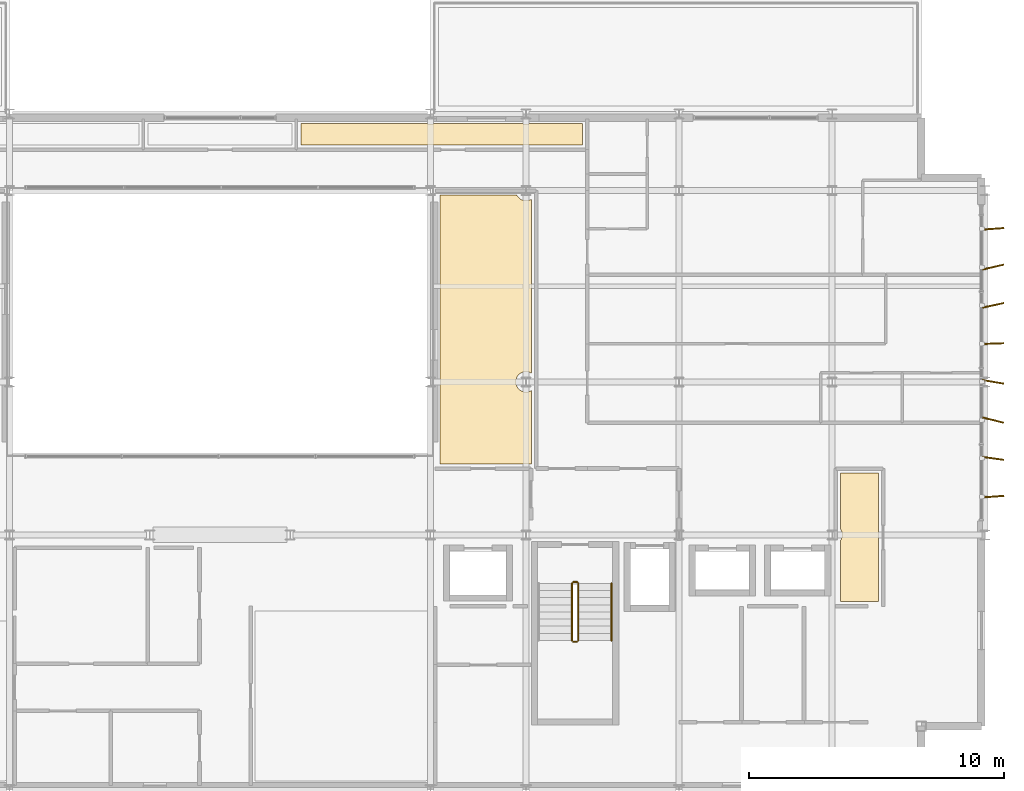
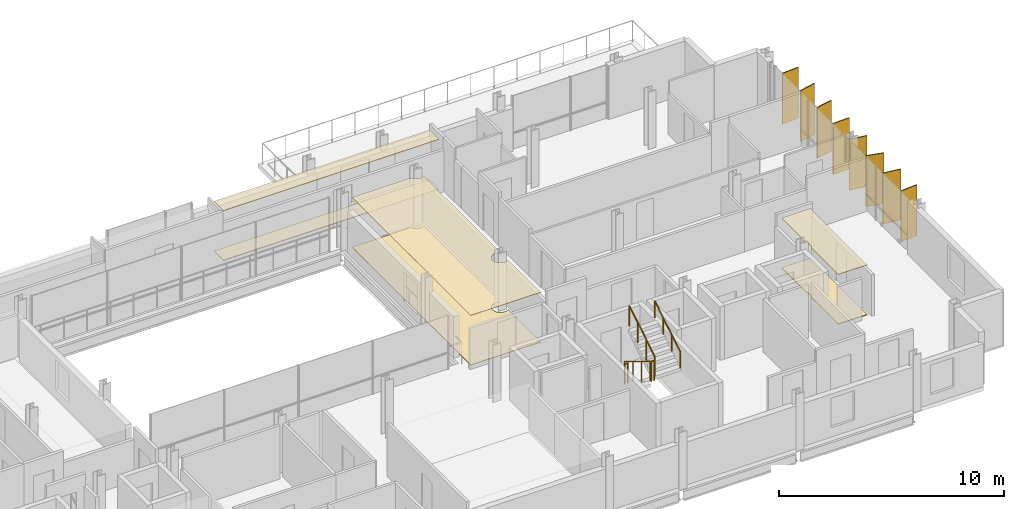
# One storey, part 37 of 38: 8 shading devices, 6 coverings, 5 railings.
"""IFC4 building model written with IfcOpenShell, lengths in metres."""

from ifc_helpers import new_model, si_unit, direction, frame, origin, origin_2d, place, context, subcontext, project, spatial, polyline, rectangle, circle, outline, extrude, material, layer, layer_set, type_object, element, save


model = new_model("IFC4")

# Units and contexts
model_context = context("Model", 3, precision=1e-05, world=origin(), true_north=direction((0.0, 1.0)))
body_context = subcontext(model_context, "Body", "Model", "MODEL_VIEW")
ifc_project = project(units=[si_unit("LENGTHUNIT", "METRE"), si_unit("AREAUNIT", "SQUARE_METRE"), si_unit("VOLUMEUNIT", "CUBIC_METRE"), si_unit("PLANEANGLEUNIT", "RADIAN"), si_unit("MASSUNIT", "GRAM", prefix="KILO")], contexts=[model_context])

# Site, building, storey
site_placement = place(None, origin())
site = spatial("IfcSite", under=ifc_project, at=site_placement, CompositionType="ELEMENT")
building_placement = place(site_placement, origin())
building = spatial("IfcBuilding", under=site, at=building_placement, Name="Brevholm Reach", CompositionType="ELEMENT")
storey_placement = place(building_placement, frame((0.0, 0.0, 172.800048828125)))
storey = spatial("IfcBuildingStorey", under=building, at=storey_placement, Name="L52", CompositionType="ELEMENT", Elevation=172.800048828125)

# Coverings
ifc_material_1 = material(Name="Moisture-Resistant Skimmed Gypsum Plasterboard Ceiling", Category="gypsum")
ifc_layer_1 = layer(ifc_material_1, 0.030029296875)
ifc_layer_set_1 = layer_set([ifc_layer_1], Name="Moisture-Resistant Skimmed Gypsum Plasterboard Ceiling")
covering_type_1 = type_object("IfcCoveringType", Name="COV-CLG-GYP", PredefinedType="CEILING", material=ifc_layer_set_1)
covering_1_placement = place(storey_placement, frame((0.0, 0.0, 2.68994140625)))
element("IfcCovering", 1, at=covering_1_placement, inside=storey, type_object=covering_type_1, Name="L52 Suspended Ceiling L52-27", PredefinedType="CEILING", context=body_context, shape_type="SweptSolid", body=[
    extrude(outline(polyline([(54.330078125, 9.7626953125), (54.33056640625, 9.764892578125), (54.33251953125, 9.777587890625), (54.33251953125, 9.77783203125), (54.352783203125, 9.811279296875), (54.36962890625, 9.846923828125), (54.3828125, 9.8837890625), (54.392333984375, 9.922119140625), (54.398193359375, 9.960693359375), (54.39990234375, 10.0), (54.398193359375, 10.039306640625), (54.392333984375, 10.077880859375), (54.3828125, 10.1162109375), (54.36962890625, 10.153076171875), (54.352783203125, 10.188720703125), (54.333984375, 10.219970703125), (54.333984375, 12.419921875), (55.81591796875, 12.419921875), (55.81591796875, 7.3798828125), (55.437255859375, 7.3798828125), (55.43505859375, 7.380615234375), (55.41748046875, 7.383056640625), (55.39990234375, 7.384033203125), (54.330078125, 7.384033203125), (54.330078125, 9.7626953125)])), origin(), (0.0, 0.0, 1.0), 0.030029296875),
])
covering_2_placement = place(storey_placement, frame((0.0, 0.0, 2.68994140625)))
element("IfcCovering", 2, at=covering_2_placement, inside=storey, type_object=covering_type_1, Name="L52 Suspended Ceiling L52-55", PredefinedType="CEILING", context=body_context, shape_type="SweptSolid", body=[
    extrude(outline(polyline([(38.6298828125, 15.876220703125), (38.6328125, 15.8837890625), (38.642333984375, 15.922119140625), (38.648193359375, 15.960693359375), (38.64990234375, 16.0), (38.648193359375, 16.039306640625), (38.642333984375, 16.077880859375), (38.6328125, 16.1162109375), (38.6298828125, 16.123779296875), (38.6298828125, 23.320068359375), (41.643310546875, 23.320068359375), (41.647216796875, 23.311279296875), (41.66748046875, 23.27783203125), (41.69091796875, 23.24609375), (41.71728515625, 23.21728515625), (41.74609375, 23.19091796875), (41.77783203125, 23.16748046875), (41.811279296875, 23.147216796875), (41.846923828125, 23.13037109375), (41.8837890625, 23.1171875), (41.922119140625, 23.107666015625), (41.960693359375, 23.101806640625), (42.0, 23.10009765625), (42.039306640625, 23.101806640625), (42.077880859375, 23.107666015625), (42.1162109375, 23.1171875), (42.153076171875, 23.13037109375), (42.188720703125, 23.147216796875), (42.216064453125, 23.163818359375), (42.216064453125, 16.336181640625), (42.188720703125, 16.352783203125), (42.153076171875, 16.36962890625), (42.1162109375, 16.3828125), (42.077880859375, 16.392333984375), (42.039306640625, 16.398193359375), (42.0, 16.39990234375), (41.960693359375, 16.398193359375), (41.922119140625, 16.392333984375), (41.8837890625, 16.3828125), (41.846923828125, 16.36962890625), (41.811279296875, 16.352783203125), (41.77783203125, 16.33251953125), (41.74609375, 16.30908203125), (41.71728515625, 16.28271484375), (41.69091796875, 16.25390625), (41.66748046875, 16.22216796875), (41.647216796875, 16.188720703125), (41.63037109375, 16.153076171875), (41.6171875, 16.1162109375), (41.607666015625, 16.077880859375), (41.601806640625, 16.039306640625), (41.60009765625, 16.0), (41.601806640625, 15.960693359375), (41.607666015625, 15.922119140625), (41.6171875, 15.8837890625), (41.63037109375, 15.846923828125), (41.647216796875, 15.811279296875), (41.66748046875, 15.77783203125), (41.69091796875, 15.74609375), (41.71728515625, 15.71728515625), (41.74609375, 15.69091796875), (41.77783203125, 15.66748046875), (41.811279296875, 15.647216796875), (41.846923828125, 15.63037109375), (41.8837890625, 15.6171875), (41.922119140625, 15.607666015625), (41.960693359375, 15.601806640625), (42.0, 15.60009765625), (42.039306640625, 15.601806640625), (42.077880859375, 15.607666015625), (42.1162109375, 15.6171875), (42.153076171875, 15.63037109375), (42.188720703125, 15.647216796875), (42.216064453125, 15.663818359375), (42.216064453125, 12.783935546875), (38.6298828125, 12.783935546875), (38.6298828125, 15.876220703125)])), origin(), (0.0, 0.0, 1.0), 0.030029296875),
])
covering_3_placement = place(storey_placement, frame((0.0, 0.0, 2.68994140625)))
element("IfcCovering", 3, at=covering_3_placement, inside=storey, type_object=covering_type_1, Name="L52 Suspended Ceiling L52-59", PredefinedType="CEILING", context=body_context, shape_type="SweptSolid", body=[
    extrude(outline(polyline([(38.126220703125, 26.1201171875), (38.1337890625, 26.1171875), (38.172119140625, 26.107666015625), (38.210693359375, 26.101806640625), (38.25, 26.10009765625), (38.289306640625, 26.101806640625), (38.327880859375, 26.107666015625), (38.3662109375, 26.1171875), (38.373779296875, 26.1201171875), (41.876220703125, 26.1201171875), (41.8837890625, 26.1171875), (41.922119140625, 26.107666015625), (41.960693359375, 26.101806640625), (42.0, 26.10009765625), (42.039306640625, 26.101806640625), (42.077880859375, 26.107666015625), (42.1162109375, 26.1171875), (42.123779296875, 26.1201171875), (44.216064453125, 26.1201171875), (44.216064453125, 25.283935546875), (33.18408203125, 25.283935546875), (33.18408203125, 26.1201171875), (38.126220703125, 26.1201171875)])), origin(), (0.0, 0.0, 1.0), 0.030029296875),
])
ifc_material_2 = material(Name="Honed Portland-Aggregate Resin Terrazzo Flooring", Category="concrete")
ifc_layer_2 = layer(ifc_material_2, 0.031982421875)
ifc_layer_set_2 = layer_set([ifc_layer_2], Name="Honed Portland-Aggregate Resin Terrazzo Flooring")
covering_type_2 = type_object("IfcCoveringType", Name="COV-FLR-TRZ", PredefinedType="FLOORING", material=ifc_layer_set_2)
covering_4_placement = place(storey_placement, origin())
element("IfcCovering", 4, at=covering_4_placement, inside=storey, type_object=covering_type_2, Name="L52 Floor Finish L52-27", PredefinedType="FLOORING", context=body_context, shape_type="SweptSolid", body=[
    extrude(outline(polyline([(54.330078125, 9.7626953125), (54.33056640625, 9.764892578125), (54.33251953125, 9.777587890625), (54.33251953125, 9.77783203125), (54.352783203125, 9.811279296875), (54.36962890625, 9.846923828125), (54.3828125, 9.8837890625), (54.392333984375, 9.922119140625), (54.398193359375, 9.960693359375), (54.39990234375, 10.0), (54.398193359375, 10.039306640625), (54.392333984375, 10.077880859375), (54.3828125, 10.1162109375), (54.36962890625, 10.153076171875), (54.352783203125, 10.188720703125), (54.333984375, 10.219970703125), (54.333984375, 12.419921875), (55.81591796875, 12.419921875), (55.81591796875, 7.3798828125), (55.437255859375, 7.3798828125), (55.43505859375, 7.380615234375), (55.41748046875, 7.383056640625), (55.39990234375, 7.384033203125), (54.330078125, 7.384033203125), (54.330078125, 9.7626953125)])), origin(), (0.0, 0.0, 1.0), 0.031982421875),
])
covering_5_placement = place(storey_placement, origin())
element("IfcCovering", 5, at=covering_5_placement, inside=storey, type_object=covering_type_2, Name="L52 Floor Finish L52-55", PredefinedType="FLOORING", context=body_context, shape_type="SweptSolid", body=[
    extrude(outline(polyline([(38.6298828125, 15.876220703125), (38.6328125, 15.8837890625), (38.642333984375, 15.922119140625), (38.648193359375, 15.960693359375), (38.64990234375, 16.0), (38.648193359375, 16.039306640625), (38.642333984375, 16.077880859375), (38.6328125, 16.1162109375), (38.6298828125, 16.123779296875), (38.6298828125, 23.320068359375), (41.643310546875, 23.320068359375), (41.647216796875, 23.311279296875), (41.66748046875, 23.27783203125), (41.69091796875, 23.24609375), (41.71728515625, 23.21728515625), (41.74609375, 23.19091796875), (41.77783203125, 23.16748046875), (41.811279296875, 23.147216796875), (41.846923828125, 23.13037109375), (41.8837890625, 23.1171875), (41.922119140625, 23.107666015625), (41.960693359375, 23.101806640625), (42.0, 23.10009765625), (42.039306640625, 23.101806640625), (42.077880859375, 23.107666015625), (42.1162109375, 23.1171875), (42.153076171875, 23.13037109375), (42.188720703125, 23.147216796875), (42.216064453125, 23.163818359375), (42.216064453125, 16.336181640625), (42.188720703125, 16.352783203125), (42.153076171875, 16.36962890625), (42.1162109375, 16.3828125), (42.077880859375, 16.392333984375), (42.039306640625, 16.398193359375), (42.0, 16.39990234375), (41.960693359375, 16.398193359375), (41.922119140625, 16.392333984375), (41.8837890625, 16.3828125), (41.846923828125, 16.36962890625), (41.811279296875, 16.352783203125), (41.77783203125, 16.33251953125), (41.74609375, 16.30908203125), (41.71728515625, 16.28271484375), (41.69091796875, 16.25390625), (41.66748046875, 16.22216796875), (41.647216796875, 16.188720703125), (41.63037109375, 16.153076171875), (41.6171875, 16.1162109375), (41.607666015625, 16.077880859375), (41.601806640625, 16.039306640625), (41.60009765625, 16.0), (41.601806640625, 15.960693359375), (41.607666015625, 15.922119140625), (41.6171875, 15.8837890625), (41.63037109375, 15.846923828125), (41.647216796875, 15.811279296875), (41.66748046875, 15.77783203125), (41.69091796875, 15.74609375), (41.71728515625, 15.71728515625), (41.74609375, 15.69091796875), (41.77783203125, 15.66748046875), (41.811279296875, 15.647216796875), (41.846923828125, 15.63037109375), (41.8837890625, 15.6171875), (41.922119140625, 15.607666015625), (41.960693359375, 15.601806640625), (42.0, 15.60009765625), (42.039306640625, 15.601806640625), (42.077880859375, 15.607666015625), (42.1162109375, 15.6171875), (42.153076171875, 15.63037109375), (42.188720703125, 15.647216796875), (42.216064453125, 15.663818359375), (42.216064453125, 12.783935546875), (38.6298828125, 12.783935546875), (38.6298828125, 15.876220703125)])), origin(), (0.0, 0.0, 1.0), 0.031982421875),
])
covering_6_placement = place(storey_placement, origin())
element("IfcCovering", 6, at=covering_6_placement, inside=storey, type_object=covering_type_2, Name="L52 Floor Finish L52-59", PredefinedType="FLOORING", context=body_context, shape_type="SweptSolid", body=[
    extrude(outline(polyline([(38.126220703125, 26.1201171875), (38.1337890625, 26.1171875), (38.172119140625, 26.107666015625), (38.210693359375, 26.101806640625), (38.25, 26.10009765625), (38.289306640625, 26.101806640625), (38.327880859375, 26.107666015625), (38.3662109375, 26.1171875), (38.373779296875, 26.1201171875), (41.876220703125, 26.1201171875), (41.8837890625, 26.1171875), (41.922119140625, 26.107666015625), (41.960693359375, 26.101806640625), (42.0, 26.10009765625), (42.039306640625, 26.101806640625), (42.077880859375, 26.107666015625), (42.1162109375, 26.1171875), (42.123779296875, 26.1201171875), (44.216064453125, 26.1201171875), (44.216064453125, 25.283935546875), (33.18408203125, 25.283935546875), (33.18408203125, 26.1201171875), (38.126220703125, 26.1201171875)])), origin(), (0.0, 0.0, 1.0), 0.031982421875),
])

# Railings
ifc_material_3 = material(Name="Brushed Stainless Steel EN 1.4401 Continuous Handrail", Category="steel")
railing_type_1 = type_object("IfcRailingType", Name="RAL-HND-950", PredefinedType="HANDRAIL", material=ifc_material_3)
railing_1_placement = place(storey_placement, frame((45.35009765625, 5.860107421875, 1.72216796875)))
element("IfcRailing", 7, at=railing_1_placement, inside=storey, type_object=railing_type_1, Name="L52 ST-2 stair handrail 2", PredefinedType="HANDRAIL", context=body_context, shape_type="SweptSolid", body=[
    extrude(circle(Radius=0.02392578125, at=origin_2d()), frame((0.0, 0.0, 0.8857421875), z_axis=(0.0, 0.85178898068, 0.523885037382), x_axis=(-1.0, 0.0, 0.0)), (0.0, 0.0, 1.0), 2.629638671875),
    extrude(circle(Radius=0.02099609375, at=origin_2d()), origin(), (0.0, 0.0, 1.0), 0.86181640625),
    extrude(circle(Radius=0.02099609375, at=origin_2d()), frame((0.0, 0.74658203125, 0.459228515625)), (0.0, 0.0, 1.0), 0.86181640625),
    extrude(circle(Radius=0.02099609375, at=origin_2d()), frame((0.0, 1.493408203125, 0.91845703125)), (0.0, 0.0, 1.0), 0.86181640625),
    extrude(circle(Radius=0.02099609375, at=origin_2d()), frame((0.0, 2.239990234375, 1.377685546875)), (0.0, 0.0, 1.0), 0.86181640625),
])
ifc_material_4 = material(Name="Painted Tubular Galvanised Steel S275JR Stair Guard", Category="steel")
railing_type_2 = type_object("IfcRailingType", Name="RAL-STG-1120", PredefinedType="BALUSTRADE", material=ifc_material_4)
railing_2_placement = place(storey_placement, frame((43.800048828125, 8.10009765625, 0.172119140625)))
element("IfcRailing", 8, at=railing_2_placement, inside=storey, type_object=railing_type_2, Name="L52 ST-2 stair guard 1", PredefinedType="BALUSTRADE", context=body_context, shape_type="SweptSolid", body=[
    extrude(circle(Radius=0.02392578125, at=origin_2d()), frame((0.0, 0.0, 1.076171875), z_axis=(0.0, -0.851747552033, 0.523952390591), x_axis=(1.0, 0.0, 0.0)), (0.0, 0.0, 1.0), 2.6298828125),
    extrude(circle(Radius=0.02099609375, at=origin_2d()), origin(), (0.0, 0.0, 1.0), 1.052001953125),
    extrude(circle(Radius=0.02099609375, at=origin_2d()), frame((0.0, -0.74658203125, 0.459228515625)), (0.0, 0.0, 1.0), 1.052001953125),
    extrude(circle(Radius=0.02099609375, at=origin_2d()), frame((0.0, -1.493408203125, 0.918701171875)), (0.0, 0.0, 1.0), 1.052001953125),
    extrude(circle(Radius=0.02099609375, at=origin_2d()), frame((0.0, -2.239990234375, 1.3779296875)), (0.0, 0.0, 1.0), 1.052001953125),
])
railing_3_placement = place(storey_placement, frame((43.85009765625, 5.81005859375, 1.550048828125)))
element("IfcRailing", 9, at=railing_3_placement, inside=storey, type_object=railing_type_2, Name="L52 ST-2 stair guard 2", PredefinedType="BALUSTRADE", context=body_context, shape_type="SweptSolid", body=[
    extrude(circle(Radius=0.02392578125, at=origin_2d()), frame((0.0, 0.0, 1.076171875), z_axis=(1.0, 0.0, 0.0), x_axis=(0.0, 1.0, 0.0)), (0.0, 0.0, 1.0), 0.14990234375),
    extrude(circle(Radius=0.02099609375, at=origin_2d()), origin(), (0.0, 0.0, 1.0), 1.052001953125),
    extrude(circle(Radius=0.02099609375, at=origin_2d()), frame((0.14990234375, 0.0, 0.0)), (0.0, 0.0, 1.0), 1.052001953125),
])
railing_4_placement = place(storey_placement, frame((44.050048828125, 5.860107421875, 1.72216796875)))
element("IfcRailing", 10, at=railing_4_placement, inside=storey, type_object=railing_type_2, Name="L52 ST-2 stair guard 3", PredefinedType="BALUSTRADE", context=body_context, shape_type="SweptSolid", body=[
    extrude(circle(Radius=0.02392578125, at=origin_2d()), frame((0.0, 0.0, 1.076171875), z_axis=(0.0, 0.85178898068, 0.523885037382), x_axis=(-1.0, 0.0, 0.0)), (0.0, 0.0, 1.0), 2.629638671875),
    extrude(circle(Radius=0.02099609375, at=origin_2d()), origin(), (0.0, 0.0, 1.0), 1.052001953125),
    extrude(circle(Radius=0.02099609375, at=origin_2d()), frame((0.0, 0.74658203125, 0.459228515625)), (0.0, 0.0, 1.0), 1.052001953125),
    extrude(circle(Radius=0.02099609375, at=origin_2d()), frame((0.0, 1.493408203125, 0.91845703125)), (0.0, 0.0, 1.0), 1.052001953125),
    extrude(circle(Radius=0.02099609375, at=origin_2d()), frame((0.0, 2.239990234375, 1.377685546875)), (0.0, 0.0, 1.0), 1.052001953125),
])
railing_5_placement = place(storey_placement, frame((43.85009765625, 8.14990234375, 0.0)))
element("IfcRailing", 11, at=railing_5_placement, inside=storey, type_object=railing_type_2, Name="L52 ST-2 stair guard 4", PredefinedType="BALUSTRADE", context=body_context, shape_type="SweptSolid", body=[
    extrude(circle(Radius=0.02392578125, at=origin_2d()), frame((0.0, 0.0, 1.076171875), z_axis=(1.0, 0.0, 0.0), x_axis=(0.0, 1.0, 0.0)), (0.0, 0.0, 1.0), 0.14990234375),
    extrude(circle(Radius=0.02099609375, at=origin_2d()), origin(), (0.0, 0.0, 1.0), 1.052001953125),
    extrude(circle(Radius=0.02099609375, at=origin_2d()), frame((0.14990234375, 0.0, 0.0)), (0.0, 0.0, 1.0), 1.052001953125),
])

# Shading devices
ifc_material_5 = material(Name="Perforated Champagne-Bronze Anodised Aluminium", Category="aluminium")
ifc_layer_3 = layer(ifc_material_5, 0.054931640625)
ifc_layer_set_3 = layer_set([ifc_layer_3], Name="Perforated Champagne-Bronze Anodised Aluminium")
shading_device_type = type_object("IfcShadingDeviceType", Name="SHD-FIN-850", PredefinedType="USERDEFINED", material=ifc_layer_set_3)
for number, where, z_axis, x_axis, name in (
    (12, (60.31494140625, 11.5, 0.070068359375), (0.0, 0.0, 1.0), (0.997401953099, 0.07203710124, 0.0), "L52 Perforated Solar Screen Fin 1"),
    (13, (60.31494140625, 13.0, 0.070068359375), (0.0, 0.0, 1.0), (0.990552593836, -0.137133361534, 0.0), "L52 Perforated Solar Screen Fin 2"),
    (14, (60.31494140625, 14.5, 0.070068359375), (0.0, 0.0, 1.0), (0.970464383152, -0.241244442494, 0.0), "L52 Perforated Solar Screen Fin 3"),
    (15, (60.31494140625, 16.0, 0.070068359375), (0.0, 0.0, 1.0), (0.986210603763, -0.165495151061, 0.0), "L52 Perforated Solar Screen Fin 4"),
    (16, (60.31494140625, 17.5, 0.070068359375), (0.0, 0.0, 1.0), (0.999339856424, 0.036329758629, 0.0), "L52 Perforated Solar Screen Fin 5"),
    (17, (60.31494140625, 19.0, 0.070068359375), (0.0, 0.0, 1.0), (0.977702676931, 0.209993989253, 0.0), "L52 Perforated Solar Screen Fin 6"),
    (18, (60.31494140625, 20.5, 0.070068359375), (0.0, 0.0, 1.0), (0.974236404594, 0.225529217539, 0.0), "L52 Perforated Solar Screen Fin 7"),
    (19, (60.31494140625, 22.0, 0.070068359375), (0.0, 0.0, 1.0), (0.997401953099, 0.07203710124, 0.0), "L52 Perforated Solar Screen Fin 8"),
):
    element("IfcShadingDevice", number, at=place(storey_placement, frame(where, z_axis=z_axis, x_axis=x_axis)), inside=storey, type_object=shading_device_type, Name=name, ObjectType="SCREEN", PredefinedType="USERDEFINED", context=body_context, shape_type="SweptSolid", body=[
        extrude(rectangle(XDim=0.85009765625, YDim=0.054931640625, at=origin_2d()), origin(), (0.0, 0.0, 1.0), 2.75),
    ])

save(model, "model.ifc")
